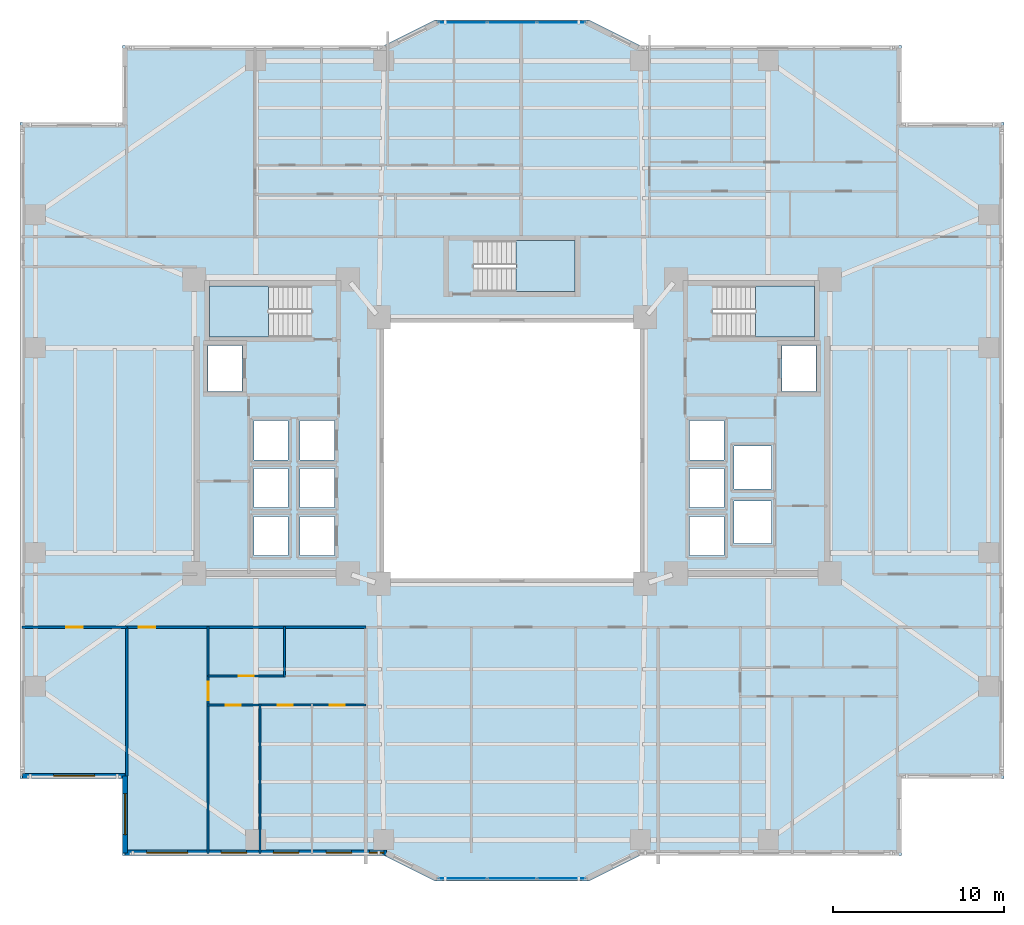
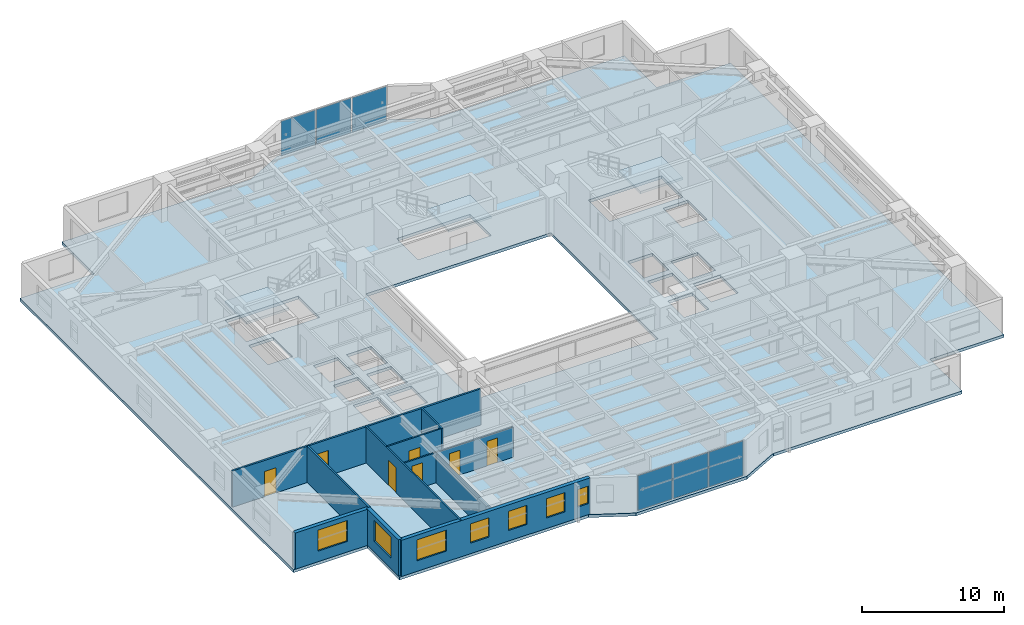
# One storey, part 9 of 20: 11 walls, 7 doors, 7 windows, 6 plates, 4 slabs, 14 openings, 5 elements without a shape of their own.
"""IFC4 building model written with IfcOpenShell, lengths in metres."""

from ifc_helpers import new_model, si_unit, direction, frame, frame_2d, origin, origin_2d, place, context, subcontext, project, spatial, polyline, rectangle, outline, extrude, material, layer, layer_set, type_object, element, fill, aggregate, save


model = new_model("IFC4")

# Units and contexts
model_context = context("Model", 3, precision=1e-05, world=origin(), true_north=direction((0.0, 1.0)))
body_context = subcontext(model_context, "Body", "Model", "MODEL_VIEW")
ifc_project = project(units=[si_unit("LENGTHUNIT", "METRE"), si_unit("AREAUNIT", "SQUARE_METRE"), si_unit("VOLUMEUNIT", "CUBIC_METRE"), si_unit("PLANEANGLEUNIT", "RADIAN"), si_unit("MASSUNIT", "GRAM", prefix="KILO")], contexts=[model_context])

# Site, building, storey
site_placement = place(None, origin())
site = spatial("IfcSite", under=ifc_project, at=site_placement, CompositionType="ELEMENT")
building_placement = place(site_placement, origin())
building = spatial("IfcBuilding", under=site, at=building_placement, Name="Tarnavaz Court Tower", CompositionType="ELEMENT")
storey_placement = place(building_placement, frame((0.0, 0.0, 34.050048828125)))
storey = spatial("IfcBuildingStorey", under=building, at=storey_placement, Name="L08", CompositionType="ELEMENT", Elevation=34.050048828125)

# Curtain wall, plates
ifc_material_1 = material(Name="Anodised Aluminium 6063-T6 and Solar Low-E Glazing", Category="aluminium")
ifc_layer_1 = layer(ifc_material_1, 0.179931640625)
ifc_layer_set_1 = layer_set([ifc_layer_1], Name="Anodised Aluminium 6063-T6 and Solar Low-E Glazing")
curtain_wall_type = type_object("IfcCurtainWallType", Name="CW-SYS-02", PredefinedType="NOTDEFINED", material=ifc_layer_set_1)
curtain_wall_1_placement = place(storey_placement, origin())
curtain_wall_1 = element("IfcCurtainWall", 1, at=curtain_wall_1_placement, inside=storey, type_object=curtain_wall_type, Name="L08 Iwan Prow Curtain Wall 7", PredefinedType="NOTDEFINED")
ifc_material_2 = material(Name="Double-Glazed Solar Low-E Glass", Category="glass")
ifc_layer_2 = layer(ifc_material_2, 0.028076171875)
ifc_layer_set_2 = layer_set([ifc_layer_2], Name="Double-Glazed Solar Low-E Glass")
plate_type = type_object("IfcPlateType", Name="CW-PAN-GLZ28", PredefinedType="CURTAIN_PANEL", material=ifc_layer_set_2)
plate_1_placement = place(storey_placement, frame((-2.88134765625, 25.050048828125, 0.06494140625), z_axis=(0.0, 0.0, 1.0), x_axis=(1.0, 0.0, 0.0)))
plate_1 = element("IfcPlate", 2, at=plate_1_placement, type_object=plate_type, Name="CW panel 1.1", PredefinedType="CURTAIN_PANEL", context=body_context, shape_type="SweptSolid", body=[
    extrude(rectangle(XDim=2.78759765625, YDim=0.028076171875, at=origin_2d()), origin(), (0.0, 0.0, 1.0), 2.969970703125),
])
plate_2_placement = place(storey_placement, frame((0.0, 25.050048828125, 0.06494140625), z_axis=(0.0, 0.0, 1.0), x_axis=(1.0, 0.0, 0.0)))
plate_2 = element("IfcPlate", 3, at=plate_2_placement, type_object=plate_type, Name="CW panel 2.1", PredefinedType="CURTAIN_PANEL", context=body_context, shape_type="SweptSolid", body=[
    extrude(rectangle(XDim=2.824951171875, YDim=0.028076171875, at=origin_2d()), origin(), (0.0, 0.0, 1.0), 2.969970703125),
])
plate_3_placement = place(storey_placement, frame((2.88134765625, 25.050048828125, 0.06494140625), z_axis=(0.0, 0.0, 1.0), x_axis=(1.0, 0.0, 0.0)))
plate_3 = element("IfcPlate", 4, at=plate_3_placement, type_object=plate_type, Name="CW panel 3.1", PredefinedType="CURTAIN_PANEL", context=body_context, shape_type="SweptSolid", body=[
    extrude(rectangle(XDim=2.78759765625, YDim=0.028076171875, at=origin_2d()), origin(), (0.0, 0.0, 1.0), 2.969970703125),
])
aggregate(curtain_wall_1, [plate_1, plate_2, plate_3])

curtain_wall_2_placement = place(storey_placement, origin())
curtain_wall_2 = element("IfcCurtainWall", 5, at=curtain_wall_2_placement, inside=storey, type_object=curtain_wall_type, Name="L08 Iwan Prow Curtain Wall 17", PredefinedType="NOTDEFINED")
plate_4_placement = place(storey_placement, frame((2.88134765625, -25.050048828125, 0.06494140625), z_axis=(0.0, 0.0, 1.0), x_axis=(-1.0, 0.0, 0.0)))
plate_4 = element("IfcPlate", 6, at=plate_4_placement, type_object=plate_type, Name="CW panel 1.1", PredefinedType="CURTAIN_PANEL", context=body_context, shape_type="SweptSolid", body=[
    extrude(rectangle(XDim=2.78759765625, YDim=0.028076171875, at=origin_2d()), origin(), (0.0, 0.0, 1.0), 2.969970703125),
])
plate_5_placement = place(storey_placement, frame((0.0, -25.050048828125, 0.06494140625), z_axis=(0.0, 0.0, 1.0), x_axis=(-1.0, 0.0, 0.0)))
plate_5 = element("IfcPlate", 7, at=plate_5_placement, type_object=plate_type, Name="CW panel 2.1", PredefinedType="CURTAIN_PANEL", context=body_context, shape_type="SweptSolid", body=[
    extrude(rectangle(XDim=2.824951171875, YDim=0.028076171875, at=origin_2d()), origin(), (0.0, 0.0, 1.0), 2.969970703125),
])
plate_6_placement = place(storey_placement, frame((-2.88134765625, -25.050048828125, 0.06494140625), z_axis=(0.0, 0.0, 1.0), x_axis=(-1.0, 0.0, 0.0)))
plate_6 = element("IfcPlate", 8, at=plate_6_placement, type_object=plate_type, Name="CW panel 3.1", PredefinedType="CURTAIN_PANEL", context=body_context, shape_type="SweptSolid", body=[
    extrude(rectangle(XDim=2.78759765625, YDim=0.028076171875, at=origin_2d()), origin(), (0.0, 0.0, 1.0), 2.969970703125),
])
aggregate(curtain_wall_2, [plate_4, plate_5, plate_6])

# Stair, slab
ifc_material_3 = material(Name="Concrete C40/50", Category="concrete")
stair_type = type_object("IfcStairType", Name="ST-TWR-20R", PredefinedType="HALF_TURN_STAIR", material=ifc_material_3)
stair_1_placement = place(storey_placement, origin())
stair_1 = element("IfcStair", 9, at=stair_1_placement, inside=storey, type_object=stair_type, Name="L08 West Core Pressurized Exit Stair ST-W1", PredefinedType="HALF_TURN_STAIR")
ifc_layer_3 = layer(ifc_material_3, 0.199951171875)
ifc_layer_set_3 = layer_set([ifc_layer_3], Name="Concrete C40/50")
slab_type_1 = type_object("IfcSlabType", Name="SL-LAND-200", PredefinedType="LANDING", material=ifc_layer_set_3)
slab_1_placement = place(storey_placement, frame((0.0, 0.0, 1.474853515625)))
slab_1 = element("IfcSlab", 10, at=slab_1_placement, type_object=slab_type_1, Name="ST-W1 landing 1", PredefinedType="LANDING", context=body_context, shape_type="SweptSolid", body=[
    extrude(outline(polyline([(-14.239990234375, 9.639892578125), (-17.699951171875, 9.639892578125), (-17.699951171875, 6.64990234375), (-14.239990234375, 6.64990234375), (-14.239990234375, 9.639892578125)])), origin(), (0.0, 0.0, 1.0), 0.2001953125),
])
aggregate(stair_1, [slab_1])

stair_2_placement = place(storey_placement, origin())
stair_2 = element("IfcStair", 11, at=stair_2_placement, inside=storey, type_object=stair_type, Name="L08 East Core Pressurized Exit Stair ST-E1", PredefinedType="HALF_TURN_STAIR")
slab_2_placement = place(storey_placement, frame((0.0, 0.0, 1.474853515625)))
slab_2 = element("IfcSlab", 12, at=slab_2_placement, type_object=slab_type_1, Name="ST-E1 landing 1", PredefinedType="LANDING", context=body_context, shape_type="SweptSolid", body=[
    extrude(outline(polyline([(14.239990234375, 6.64990234375), (17.699951171875, 6.64990234375), (17.699951171875, 9.639892578125), (14.239990234375, 9.639892578125), (14.239990234375, 6.64990234375)])), origin(), (0.0, 0.0, 1.0), 0.2001953125),
])
aggregate(stair_2, [slab_2])

stair_3_placement = place(storey_placement, origin())
stair_3 = element("IfcStair", 13, at=stair_3_placement, inside=storey, type_object=stair_type, Name="L08 North Ring Pressurized Exit Stair ST-N1", PredefinedType="HALF_TURN_STAIR")
slab_3_placement = place(storey_placement, frame((0.0, 0.0, 1.474853515625)))
slab_3 = element("IfcSlab", 14, at=slab_3_placement, type_object=slab_type_1, Name="ST-N1 landing 1", PredefinedType="LANDING", context=body_context, shape_type="SweptSolid", body=[
    extrude(outline(polyline([(0.239990234375, 9.300048828125), (3.699951171875, 9.300048828125), (3.699951171875, 12.2900390625), (0.239990234375, 12.2900390625), (0.239990234375, 9.300048828125)])), origin(), (0.0, 0.0, 1.0), 0.2001953125),
])
aggregate(stair_3, [slab_3])

# Slab
ifc_layer_4 = layer(ifc_material_3, 0.25)
ifc_layer_set_4 = layer_set([ifc_layer_4], Name="Concrete C40/50")
slab_type_2 = type_object("IfcSlabType", Name="SL-RES-250", PredefinedType="FLOOR", material=ifc_layer_set_4)
slab_4_placement = place(storey_placement, frame((0.0, 0.0, -0.25)))
element("IfcSlab", 15, at=slab_4_placement, inside=storey, type_object=slab_type_2, Name="L08 Structural Floor Slab", PredefinedType="FLOOR", context=body_context, shape_type="SweptSolid", body=[
    extrude(outline(polyline([(-22.800048828125, -23.699951171875), (-7.5, -23.699951171875), (-4.5, -25.199951171875), (4.5, -25.199951171875), (7.5, -23.699951171875), (22.800048828125, -23.699951171875), (22.800048828125, -19.199951171875), (28.800048828125, -19.199951171875), (28.800048828125, 19.199951171875), (22.800048828125, 19.199951171875), (22.800048828125, 23.699951171875), (7.5, 23.699951171875), (4.5, 25.199951171875), (-4.5, 25.199951171875), (-7.5, 23.699951171875), (-22.800048828125, 23.699951171875), (-22.800048828125, 19.199951171875), (-28.800048828125, 19.199951171875), (-28.800048828125, -19.199951171875), (-22.800048828125, -19.199951171875), (-22.800048828125, -23.699951171875)]), holes=[polyline([(-7.5, -7.5), (7.5, -7.5), (7.5, 7.5), (-7.5, 7.5), (-7.5, -7.5)]), polyline([(-11.7451171875, 9.639892578125), (-17.699951171875, 9.639892578125), (-17.699951171875, 6.64990234375), (-11.7451171875, 6.64990234375), (-11.7451171875, 9.639892578125)]), polyline([(11.7451171875, 6.64990234375), (17.699951171875, 6.64990234375), (17.699951171875, 9.639892578125), (11.7451171875, 9.639892578125), (11.7451171875, 6.64990234375)]), polyline([(-2.2548828125, 9.300048828125), (3.699951171875, 9.300048828125), (3.699951171875, 12.2900390625), (-2.2548828125, 12.2900390625), (-2.2548828125, 9.300048828125)]), polyline([(-17.800048828125, 3.449951171875), (-15.800048828125, 3.449951171875), (-15.800048828125, 6.14990234375), (-17.800048828125, 6.14990234375), (-17.800048828125, 3.449951171875)]), polyline([(-12.39990234375, -6.14990234375), (-10.39990234375, -6.14990234375), (-10.39990234375, -3.85009765625), (-12.39990234375, -3.85009765625), (-12.39990234375, -6.14990234375)]), polyline([(-12.39990234375, -3.35009765625), (-10.39990234375, -3.35009765625), (-10.39990234375, -1.050048828125), (-12.39990234375, -1.050048828125), (-12.39990234375, -3.35009765625)]), polyline([(-12.39990234375, -0.550048828125), (-10.39990234375, -0.550048828125), (-10.39990234375, 1.75), (-12.39990234375, 1.75), (-12.39990234375, -0.550048828125)]), polyline([(-15.10009765625, -6.14990234375), (-13.10009765625, -6.14990234375), (-13.10009765625, -3.85009765625), (-15.10009765625, -3.85009765625), (-15.10009765625, -6.14990234375)]), polyline([(-15.10009765625, -3.35009765625), (-13.10009765625, -3.35009765625), (-13.10009765625, -1.050048828125), (-15.10009765625, -1.050048828125), (-15.10009765625, -3.35009765625)]), polyline([(-15.10009765625, -0.550048828125), (-13.10009765625, -0.550048828125), (-13.10009765625, 1.75), (-15.10009765625, 1.75), (-15.10009765625, -0.550048828125)]), polyline([(15.800048828125, 3.449951171875), (17.800048828125, 3.449951171875), (17.800048828125, 6.14990234375), (15.800048828125, 6.14990234375), (15.800048828125, 3.449951171875)]), polyline([(10.39990234375, -6.14990234375), (12.39990234375, -6.14990234375), (12.39990234375, -3.85009765625), (10.39990234375, -3.85009765625), (10.39990234375, -6.14990234375)]), polyline([(10.39990234375, -3.35009765625), (12.39990234375, -3.35009765625), (12.39990234375, -1.050048828125), (10.39990234375, -1.050048828125), (10.39990234375, -3.35009765625)]), polyline([(10.39990234375, -0.550048828125), (12.39990234375, -0.550048828125), (12.39990234375, 1.75), (10.39990234375, 1.75), (10.39990234375, -0.550048828125)]), polyline([(13.0, -5.449951171875), (15.199951171875, -5.449951171875), (15.199951171875, -2.949951171875), (13.0, -2.949951171875), (13.0, -5.449951171875)]), polyline([(13.0, -2.25), (15.199951171875, -2.25), (15.199951171875, 0.25), (13.0, 0.25), (13.0, -2.25)])]), origin(), (0.0, 0.0, 1.0), 0.25),
])

# Wall, opening, window
ifc_material_4 = material(Name="Precast Concrete C40/50", Category="concrete")
ifc_layer_5 = layer(ifc_material_4, 0.300048828125)
ifc_layer_set_5 = layer_set([ifc_layer_5], Name="Precast Concrete C40/50")
wall_type_1 = type_object("IfcWallType", Name="WL-EXT-300", PredefinedType="SOLIDWALL", material=ifc_layer_set_5)
wall_1_placement = place(storey_placement, frame((-22.64990234375, -19.050048828125, 0.0), z_axis=(0.0, 0.0, 1.0), x_axis=(-1.0, 0.0, 0.0)))
wall_1 = element("IfcWall", 16, at=wall_1_placement, inside=storey, type_object=wall_type_1, Name="L08 Exterior Terracotta Facade Wall 01", PredefinedType="SOLIDWALL", context=body_context, shape_type="SweptSolid", body=[
    extrude(rectangle(XDim=6.0, YDim=0.300048828125, at=frame_2d((3.0, 0.0))), origin(), (0.0, 0.0, 1.0), 3.099853515625),
])
opening_1_placement = place(wall_1_placement, frame((1.77490234375, 0.0, 0.89990234375)))
opening_1 = element("IfcOpeningElement", 17, at=opening_1_placement, cuts=wall_1, Name="Opening W06", PredefinedType="OPENING", context=body_context, shape_type="SweptSolid", body=[
    extrude(rectangle(XDim=2.39990234375, YDim=1.800048828125, at=frame_2d((1.199951171875, 0.89990234375))), frame((0.0, 0.159912109375, 0.0), z_axis=(0.0, -1.0, 0.0), x_axis=(1.0, 0.0, 0.0)), (0.0, 0.0, 1.0), 0.320068359375),
])
window_type_1 = type_object("IfcWindowType", Name="WN-APT-2400", PartitioningType="TRIPLE_PANEL_VERTICAL", PredefinedType="WINDOW", material=ifc_material_2)
window_1_placement = place(opening_1_placement, origin())
window_1 = element("IfcWindow", 18, at=window_1_placement, inside=storey, type_object=window_type_1, Name="L08 South-West Corner Reading Room Window", OverallHeight=1.800048828125, OverallWidth=2.39990234375, PartitioningType="SINGLE_PANEL", PredefinedType="WINDOW", context=body_context, shape_type="SweptSolid", body=[
    extrude(rectangle(XDim=2.39990234375, YDim=1.800048828125, at=frame_2d((1.199951171875, 0.89990234375))), frame((0.0, 0.030029296875, 0.0), z_axis=(0.0, -1.0, 0.0), x_axis=(1.0, 0.0, 0.0)), (0.0, 0.0, 1.0), 0.06005859375),
])
fill(opening_1, window_1)

# Wall, openings, windows
wall_2_placement = place(storey_placement, frame((-7.35009765625, -23.550048828125, 0.0), z_axis=(0.0, 0.0, 1.0), x_axis=(-1.0, 0.0, 0.0)))
wall_2 = element("IfcWall", 19, at=wall_2_placement, inside=storey, type_object=wall_type_1, Name="L08 Exterior Terracotta Facade Wall 19", PredefinedType="SOLIDWALL", context=body_context, shape_type="SweptSolid", body=[
    extrude(rectangle(XDim=15.2998046875, YDim=0.300048828125, at=frame_2d((7.64990234375, 0.0))), origin(), (0.0, 0.0, 1.0), 3.099853515625),
])
opening_2_placement = place(wall_2_placement, frame((0.146728515625, 0.0, 0.949951171875)))
opening_2 = element("IfcOpeningElement", 20, at=opening_2_placement, cuts=wall_2, Name="Opening W15", PredefinedType="OPENING", context=body_context, shape_type="SweptSolid", body=[
    extrude(rectangle(XDim=0.85009765625, YDim=1.5, at=frame_2d((0.425048828125, 0.75))), frame((0.0, 0.159912109375, 0.0), z_axis=(0.0, -1.0, 0.0), x_axis=(1.0, 0.0, 0.0)), (0.0, 0.0, 1.0), 0.320068359375),
])
opening_3_placement = place(wall_2_placement, frame((2.0341796875, 0.0, 0.89990234375)))
opening_3 = element("IfcOpeningElement", 21, at=opening_3_placement, cuts=wall_2, Name="Opening W03", PredefinedType="OPENING", context=body_context, shape_type="SweptSolid", body=[
    extrude(rectangle(XDim=1.5, YDim=1.64990234375, at=frame_2d((0.75, 0.824951171875))), frame((0.0, 0.159912109375, 0.0), z_axis=(0.0, -1.0, 0.0), x_axis=(1.0, 0.0, 0.0)), (0.0, 0.0, 1.0), 0.320068359375),
])
opening_4_placement = place(wall_2_placement, frame((5.119140625, 0.0, 0.89990234375)))
opening_4 = element("IfcOpeningElement", 22, at=opening_4_placement, cuts=wall_2, Name="Opening W03", PredefinedType="OPENING", context=body_context, shape_type="SweptSolid", body=[
    extrude(rectangle(XDim=1.5, YDim=1.64990234375, at=frame_2d((0.75, 0.824951171875))), frame((0.0, 0.159912109375, 0.0), z_axis=(0.0, -1.0, 0.0), x_axis=(1.0, 0.0, 0.0)), (0.0, 0.0, 1.0), 0.320068359375),
])
opening_5_placement = place(wall_2_placement, frame((8.17919921875, 0.0, 0.89990234375)))
opening_5 = element("IfcOpeningElement", 23, at=opening_5_placement, cuts=wall_2, Name="Opening W03", PredefinedType="OPENING", context=body_context, shape_type="SweptSolid", body=[
    extrude(rectangle(XDim=1.5, YDim=1.64990234375, at=frame_2d((0.75, 0.824951171875))), frame((0.0, 0.159912109375, 0.0), z_axis=(0.0, -1.0, 0.0), x_axis=(1.0, 0.0, 0.0)), (0.0, 0.0, 1.0), 0.320068359375),
])
opening_6_placement = place(wall_2_placement, frame((11.64208984375, 0.0, 0.89990234375)))
opening_6 = element("IfcOpeningElement", 24, at=opening_6_placement, cuts=wall_2, Name="Opening W06", PredefinedType="OPENING", context=body_context, shape_type="SweptSolid", body=[
    extrude(rectangle(XDim=2.39990234375, YDim=1.800048828125, at=frame_2d((1.199951171875, 0.89990234375))), frame((0.0, 0.159912109375, 0.0), z_axis=(0.0, -1.0, 0.0), x_axis=(1.0, 0.0, 0.0)), (0.0, 0.0, 1.0), 0.320068359375),
])
window_type_2 = type_object("IfcWindowType", Name="WN-APT-1500", PartitioningType="DOUBLE_PANEL_VERTICAL", PredefinedType="WINDOW", material=ifc_material_2)
window_2_placement = place(opening_3_placement, origin())
window_2 = element("IfcWindow", 25, at=window_2_placement, inside=storey, type_object=window_type_2, Name="L08 Flat 03 Bedroom 3 Window", OverallHeight=1.64990234375, OverallWidth=1.5, PartitioningType="SINGLE_PANEL", PredefinedType="WINDOW", context=body_context, shape_type="SweptSolid", body=[
    extrude(rectangle(XDim=1.5, YDim=1.64990234375, at=frame_2d((0.75, 0.824951171875))), frame((0.0, 0.030029296875, 0.0), z_axis=(0.0, -1.0, 0.0), x_axis=(1.0, 0.0, 0.0)), (0.0, 0.0, 1.0), 0.06005859375),
])
fill(opening_3, window_2)
window_3_placement = place(opening_4_placement, origin())
window_3 = element("IfcWindow", 26, at=window_3_placement, inside=storey, type_object=window_type_2, Name="L08 Flat 03 Bedroom 2 Window", OverallHeight=1.64990234375, OverallWidth=1.5, PartitioningType="SINGLE_PANEL", PredefinedType="WINDOW", context=body_context, shape_type="SweptSolid", body=[
    extrude(rectangle(XDim=1.5, YDim=1.64990234375, at=frame_2d((0.75, 0.824951171875))), frame((0.0, 0.030029296875, 0.0), z_axis=(0.0, -1.0, 0.0), x_axis=(1.0, 0.0, 0.0)), (0.0, 0.0, 1.0), 0.06005859375),
])
fill(opening_4, window_3)
window_4_placement = place(opening_5_placement, origin())
window_4 = element("IfcWindow", 27, at=window_4_placement, inside=storey, type_object=window_type_2, Name="L08 Flat 03 Principal Bedroom Window", OverallHeight=1.64990234375, OverallWidth=1.5, PartitioningType="SINGLE_PANEL", PredefinedType="WINDOW", context=body_context, shape_type="SweptSolid", body=[
    extrude(rectangle(XDim=1.5, YDim=1.64990234375, at=frame_2d((0.75, 0.824951171875))), frame((0.0, 0.030029296875, 0.0), z_axis=(0.0, -1.0, 0.0), x_axis=(1.0, 0.0, 0.0)), (0.0, 0.0, 1.0), 0.06005859375),
])
fill(opening_5, window_4)
window_5_placement = place(opening_6_placement, origin())
window_5 = element("IfcWindow", 28, at=window_5_placement, inside=storey, type_object=window_type_1, Name="L08 Flat 03 Living and Dining Room Window", OverallHeight=1.800048828125, OverallWidth=2.39990234375, PartitioningType="SINGLE_PANEL", PredefinedType="WINDOW", context=body_context, shape_type="SweptSolid", body=[
    extrude(rectangle(XDim=2.39990234375, YDim=1.800048828125, at=frame_2d((1.199951171875, 0.89990234375))), frame((0.0, 0.030029296875, 0.0), z_axis=(0.0, -1.0, 0.0), x_axis=(1.0, 0.0, 0.0)), (0.0, 0.0, 1.0), 0.06005859375),
])
fill(opening_6, window_5)
window_type_3 = type_object("IfcWindowType", Name="WN-APT-850", PartitioningType="SINGLE_PANEL", PredefinedType="WINDOW", material=ifc_material_2)
window_6_placement = place(opening_2_placement, origin())
window_6 = element("IfcWindow", 29, at=window_6_placement, inside=storey, type_object=window_type_3, Name="L08 Resident Fitness and Yoga Studio Window", OverallHeight=1.5, OverallWidth=0.85009765625, PartitioningType="SINGLE_PANEL", PredefinedType="WINDOW", context=body_context, shape_type="SweptSolid", body=[
    extrude(rectangle(XDim=0.85009765625, YDim=1.5, at=frame_2d((0.425048828125, 0.75))), frame((0.0, 0.030029296875, 0.0), z_axis=(0.0, -1.0, 0.0), x_axis=(1.0, 0.0, 0.0)), (0.0, 0.0, 1.0), 0.06005859375),
])
fill(opening_2, window_6)

# Wall, opening, window
wall_3_placement = place(storey_placement, frame((-22.64990234375, -23.550048828125, 0.0), z_axis=(0.0, 0.0, 1.0), x_axis=(0.0, 1.0, 0.0)))
wall_3 = element("IfcWall", 30, at=wall_3_placement, inside=storey, type_object=wall_type_1, Name="L08 Exterior Terracotta Facade Wall 20", PredefinedType="SOLIDWALL", context=body_context, shape_type="SweptSolid", body=[
    extrude(rectangle(XDim=4.5, YDim=0.300048828125, at=frame_2d((2.25, 0.0))), origin(), (0.0, 0.0, 1.0), 3.099853515625),
])
opening_7_placement = place(wall_3_placement, frame((1.0673828125, 0.0, 0.89990234375)))
opening_7 = element("IfcOpeningElement", 31, at=opening_7_placement, cuts=wall_3, Name="Opening W06", PredefinedType="OPENING", context=body_context, shape_type="SweptSolid", body=[
    extrude(rectangle(XDim=2.39990234375, YDim=1.800048828125, at=frame_2d((1.199951171875, 0.89990234375))), frame((0.0, 0.159912109375, 0.0), z_axis=(0.0, -1.0, 0.0), x_axis=(1.0, 0.0, 0.0)), (0.0, 0.0, 1.0), 0.320068359375),
])
window_7_placement = place(opening_7_placement, origin())
window_7 = element("IfcWindow", 32, at=window_7_placement, inside=storey, type_object=window_type_1, Name="L08 Flat 03 Living and Dining Room Window", OverallHeight=1.800048828125, OverallWidth=2.39990234375, PartitioningType="SINGLE_PANEL", PredefinedType="WINDOW", context=body_context, shape_type="SweptSolid", body=[
    extrude(rectangle(XDim=2.39990234375, YDim=1.800048828125, at=frame_2d((1.199951171875, 0.89990234375))), frame((0.0, 0.030029296875, 0.0), z_axis=(0.0, -1.0, 0.0), x_axis=(1.0, 0.0, 0.0)), (0.0, 0.0, 1.0), 0.06005859375),
])
fill(opening_7, window_7)

# Wall, opening, door
ifc_material_5 = material(Name="Gypsum Fire-Board on Acoustic Metal Stud", Category="masonry")
ifc_layer_6 = layer(ifc_material_5, 0.14990234375)
ifc_layer_set_6 = layer_set([ifc_layer_6], Name="Gypsum Fire-Board on Acoustic Metal Stud")
wall_type_2 = type_object("IfcWallType", Name="WL-FIRE-150", PredefinedType="PARTITIONING", material=ifc_layer_set_6)
wall_4_placement = place(storey_placement, frame((-22.550048828125, -10.35009765625, 0.0), z_axis=(0.0, 0.0, 1.0), x_axis=(1.0, 0.0, 0.0)))
wall_4 = element("IfcWall", 33, at=wall_4_placement, inside=storey, type_object=wall_type_2, Name="L08 SW Corridor Wall 084", PredefinedType="PARTITIONING", context=body_context, shape_type="SweptSolid", body=[
    extrude(rectangle(XDim=14.0, YDim=0.14990234375, at=frame_2d((7.0, 0.0))), origin(), (0.0, 0.0, 1.0), 3.099853515625),
])
opening_8_placement = place(wall_4_placement, frame((0.699951171875, 0.0, 0.0)))
opening_8 = element("IfcOpeningElement", 34, at=opening_8_placement, cuts=wall_4, Name="Opening D06", PredefinedType="OPENING", context=body_context, shape_type="SweptSolid", body=[
    extrude(rectangle(XDim=0.9599609375, YDim=2.14990234375, at=frame_2d((0.47998046875, 1.074951171875))), frame((0.0, 0.0849609375, 0.0), z_axis=(0.0, -1.0, 0.0), x_axis=(1.0, 0.0, 0.0)), (0.0, 0.0, 1.0), 0.169921875),
])
ifc_material_6 = material(Name="Fire-Rated Hardwood Timber Core", Category="wood")
door_type_1 = type_object("IfcDoorType", Name="DR-FD60-950", OperationType="NOTDEFINED", PredefinedType="DOOR", material=ifc_material_6)
door_1_placement = place(opening_8_placement, origin())
door_1 = element("IfcDoor", 35, at=door_1_placement, inside=storey, type_object=door_type_1, Name="L08 Flat 03 Entrance Door", OperationType="SINGLE_SWING_RIGHT", OverallHeight=2.14990234375, OverallWidth=0.9599609375, PredefinedType="DOOR", context=body_context, shape_type="SweptSolid", body=[
    extrude(rectangle(XDim=0.9599609375, YDim=2.14990234375, at=frame_2d((0.47998046875, 1.074951171875))), frame((0.0, 0.02490234375, 0.0), z_axis=(0.0, -1.0, 0.0), x_axis=(1.0, 0.0, 0.0)), (0.0, 0.0, 1.0), 0.050048828125),
])
fill(opening_8, door_1)

wall_5_placement = place(storey_placement, frame((-28.679931640625, -10.35009765625, 0.0), z_axis=(0.0, 0.0, 1.0), x_axis=(1.0, 0.0, 0.0)))
wall_5 = element("IfcWall", 36, at=wall_5_placement, inside=storey, type_object=wall_type_2, Name="L08 Interior Partition 131", PredefinedType="PARTITIONING", context=body_context, shape_type="SweptSolid", body=[
    extrude(rectangle(XDim=6.1298828125, YDim=0.14990234375, at=frame_2d((3.06494140625, 0.0))), origin(), (0.0, 0.0, 1.0), 3.099853515625),
])
opening_9_placement = place(wall_5_placement, frame((2.590087890625, 0.0, 0.0)))
opening_9 = element("IfcOpeningElement", 37, at=opening_9_placement, cuts=wall_5, Name="Opening D13", PredefinedType="OPENING", context=body_context, shape_type="SweptSolid", body=[
    extrude(rectangle(XDim=0.949951171875, YDim=2.14990234375, at=frame_2d((0.47509765625, 1.074951171875))), frame((0.0, 0.0849609375, 0.0), z_axis=(0.0, -1.0, 0.0), x_axis=(1.0, 0.0, 0.0)), (0.0, 0.0, 1.0), 0.169921875),
])
ifc_material_7 = material(Name="Engineered Oak Timber", Category="wood")
door_type_2 = type_object("IfcDoorType", Name="DR-INT-950", OperationType="NOTDEFINED", PredefinedType="DOOR", material=ifc_material_7)
door_2_placement = place(opening_9_placement, origin())
door_2 = element("IfcDoor", 38, at=door_2_placement, inside=storey, type_object=door_type_2, Name="L08 SW Reading Room Door", OperationType="SINGLE_SWING_LEFT", OverallHeight=2.14990234375, OverallWidth=0.949951171875, PredefinedType="DOOR", context=body_context, shape_type="SweptSolid", body=[
    extrude(rectangle(XDim=0.949951171875, YDim=2.14990234375, at=frame_2d((0.47509765625, 1.074951171875))), frame((0.0, 0.02490234375, 0.0), z_axis=(0.0, -1.0, 0.0), x_axis=(1.0, 0.0, 0.0)), (0.0, 0.0, 1.0), 0.050048828125),
])
fill(opening_9, door_2)

ifc_material_8 = material(Name="Moisture-Resistant Gypsum Board Partition", Category="masonry")
ifc_layer_7 = layer(ifc_material_8, 0.1201171875)
ifc_layer_set_7 = layer_set([ifc_layer_7], Name="Moisture-Resistant Gypsum Board Partition")
wall_type_3 = type_object("IfcWallType", Name="WL-PART-120", PredefinedType="PARTITIONING", material=ifc_layer_set_7)
wall_6_placement = place(storey_placement, frame((-17.7880859375, -23.60009765625, 0.0), z_axis=(0.0, 0.0, 1.0), x_axis=(0.0, 1.0, 0.0)))
wall_6 = element("IfcWall", 39, at=wall_6_placement, inside=storey, type_object=wall_type_3, Name="L08 Interior Partition 103", PredefinedType="PARTITIONING", context=body_context, shape_type="SweptSolid", body=[
    extrude(rectangle(XDim=13.31005859375, YDim=0.1201171875, at=frame_2d((6.655029296875, 0.0))), origin(), (0.0, 0.0, 1.0), 3.099853515625),
])
opening_10_placement = place(wall_6_placement, frame((8.97509765625, 0.0, 0.0)))
opening_10 = element("IfcOpeningElement", 40, at=opening_10_placement, cuts=wall_6, Name="Opening D12", PredefinedType="OPENING", context=body_context, shape_type="SweptSolid", body=[
    extrude(rectangle(XDim=1.080078125, YDim=2.14990234375, at=frame_2d((0.5400390625, 1.074951171875))), frame((0.0, 0.070068359375, 0.0), z_axis=(0.0, -1.0, 0.0), x_axis=(1.0, 0.0, 0.0)), (0.0, 0.0, 1.0), 0.14013671875),
])
door_type_3 = type_object("IfcDoorType", Name="DR-INT-1100", OperationType="NOTDEFINED", PredefinedType="DOOR", material=ifc_material_7)
door_3_placement = place(opening_10_placement, origin())
door_3 = element("IfcDoor", 41, at=door_3_placement, inside=storey, type_object=door_type_3, Name="L08 Flat 03 Foyer Door", OperationType="SINGLE_SWING_LEFT", OverallHeight=2.14990234375, OverallWidth=1.080078125, PredefinedType="DOOR", context=body_context, shape_type="SweptSolid", body=[
    extrude(rectangle(XDim=1.080078125, YDim=2.14990234375, at=frame_2d((0.5400390625, 1.074951171875))), frame((0.0, 0.02490234375, 0.0), z_axis=(0.0, -1.0, 0.0), x_axis=(1.0, 0.0, 0.0)), (0.0, 0.0, 1.0), 0.050048828125),
])
fill(opening_10, door_3)

wall_7_placement = place(storey_placement, frame((-17.7880859375, -13.199951171875, 0.0), z_axis=(0.0, 0.0, 1.0), x_axis=(1.0, 0.0, 0.0)))
wall_7 = element("IfcWall", 42, at=wall_7_placement, inside=storey, type_object=wall_type_3, Name="L08 Interior Partition 104", PredefinedType="PARTITIONING", context=body_context, shape_type="SweptSolid", body=[
    extrude(rectangle(XDim=4.47314453125, YDim=0.1201171875, at=frame_2d((2.236572265625, 0.0))), origin(), (0.0, 0.0, 1.0), 3.099853515625),
])
opening_11_placement = place(wall_7_placement, frame((1.797119140625, 0.0, 0.0)))
opening_11 = element("IfcOpeningElement", 43, at=opening_11_placement, cuts=wall_7, Name="Opening D14", PredefinedType="OPENING", context=body_context, shape_type="SweptSolid", body=[
    extrude(rectangle(XDim=0.8798828125, YDim=2.10009765625, at=frame_2d((0.43994140625, 1.050048828125))), frame((0.0, 0.070068359375, 0.0), z_axis=(0.0, -1.0, 0.0), x_axis=(1.0, 0.0, 0.0)), (0.0, 0.0, 1.0), 0.14013671875),
])
door_type_4 = type_object("IfcDoorType", Name="DR-INT-900", OperationType="NOTDEFINED", PredefinedType="DOOR", material=ifc_material_7)
door_4_placement = place(opening_11_placement, origin())
door_4 = element("IfcDoor", 44, at=door_4_placement, inside=storey, type_object=door_type_4, Name="L08 Flat 03 Kitchen Door", OperationType="SINGLE_SWING_RIGHT", OverallHeight=2.10009765625, OverallWidth=0.8798828125, PredefinedType="DOOR", context=body_context, shape_type="SweptSolid", body=[
    extrude(rectangle(XDim=0.8798828125, YDim=2.10009765625, at=frame_2d((0.43994140625, 1.050048828125))), frame((0.0, 0.02490234375, 0.0), z_axis=(0.0, -1.0, 0.0), x_axis=(1.0, 0.0, 0.0)), (0.0, 0.0, 1.0), 0.050048828125),
])
fill(opening_11, door_4)

# Wall, openings, doors
wall_8_placement = place(storey_placement, frame((-17.847900390625, -14.909912109375, 0.0), z_axis=(0.0, 0.0, 1.0), x_axis=(1.0, 0.0, 0.0)))
wall_8 = element("IfcWall", 45, at=wall_8_placement, inside=storey, type_object=wall_type_3, Name="L08 Interior Partition 106", PredefinedType="PARTITIONING", context=body_context, shape_type="SweptSolid", body=[
    extrude(rectangle(XDim=9.307861328125, YDim=0.1201171875, at=frame_2d((4.65380859375, 0.0))), origin(), (0.0, 0.0, 1.0), 2.5849609375),
])
opening_12_placement = place(wall_8_placement, frame((1.0810546875, 0.0, 0.0)))
opening_12 = element("IfcOpeningElement", 46, at=opening_12_placement, cuts=wall_8, Name="Opening D14", PredefinedType="OPENING", context=body_context, shape_type="SweptSolid", body=[
    extrude(rectangle(XDim=0.8798828125, YDim=2.10009765625, at=frame_2d((0.43994140625, 1.050048828125))), frame((0.0, 0.070068359375, 0.0), z_axis=(0.0, -1.0, 0.0), x_axis=(1.0, 0.0, 0.0)), (0.0, 0.0, 1.0), 0.14013671875),
])
opening_13_placement = place(wall_8_placement, frame((4.1240234375, 0.0, 0.0)))
opening_13 = element("IfcOpeningElement", 47, at=opening_13_placement, cuts=wall_8, Name="Opening D14", PredefinedType="OPENING", context=body_context, shape_type="SweptSolid", body=[
    extrude(rectangle(XDim=0.8798828125, YDim=2.10009765625, at=frame_2d((0.43994140625, 1.050048828125))), frame((0.0, 0.070068359375, 0.0), z_axis=(0.0, -1.0, 0.0), x_axis=(1.0, 0.0, 0.0)), (0.0, 0.0, 1.0), 0.14013671875),
])
opening_14_placement = place(wall_8_placement, frame((7.1669921875, 0.0, 0.0)))
opening_14 = element("IfcOpeningElement", 48, at=opening_14_placement, cuts=wall_8, Name="Opening D14", PredefinedType="OPENING", context=body_context, shape_type="SweptSolid", body=[
    extrude(rectangle(XDim=0.8798828125, YDim=2.10009765625, at=frame_2d((0.43994140625, 1.050048828125))), frame((0.0, 0.070068359375, 0.0), z_axis=(0.0, -1.0, 0.0), x_axis=(1.0, 0.0, 0.0)), (0.0, 0.0, 1.0), 0.14013671875),
])
door_5_placement = place(opening_12_placement, origin())
door_5 = element("IfcDoor", 49, at=door_5_placement, inside=storey, type_object=door_type_4, Name="L08 Flat 03 Bedroom 1 Door", OperationType="SINGLE_SWING_RIGHT", OverallHeight=2.10009765625, OverallWidth=0.8798828125, PredefinedType="DOOR", context=body_context, shape_type="SweptSolid", body=[
    extrude(rectangle(XDim=0.8798828125, YDim=2.10009765625, at=frame_2d((0.43994140625, 1.050048828125))), frame((0.0, 0.02490234375, 0.0), z_axis=(0.0, -1.0, 0.0), x_axis=(1.0, 0.0, 0.0)), (0.0, 0.0, 1.0), 0.050048828125),
])
fill(opening_12, door_5)
door_6_placement = place(opening_13_placement, origin())
door_6 = element("IfcDoor", 50, at=door_6_placement, inside=storey, type_object=door_type_4, Name="L08 Flat 03 Bedroom 2 Door", OperationType="SINGLE_SWING_LEFT", OverallHeight=2.10009765625, OverallWidth=0.8798828125, PredefinedType="DOOR", context=body_context, shape_type="SweptSolid", body=[
    extrude(rectangle(XDim=0.8798828125, YDim=2.10009765625, at=frame_2d((0.43994140625, 1.050048828125))), frame((0.0, 0.02490234375, 0.0), z_axis=(0.0, -1.0, 0.0), x_axis=(1.0, 0.0, 0.0)), (0.0, 0.0, 1.0), 0.050048828125),
])
fill(opening_13, door_6)
door_7_placement = place(opening_14_placement, origin())
door_7 = element("IfcDoor", 51, at=door_7_placement, inside=storey, type_object=door_type_4, Name="L08 Flat 03 Bedroom 3 Door", OperationType="SINGLE_SWING_RIGHT", OverallHeight=2.10009765625, OverallWidth=0.8798828125, PredefinedType="DOOR", context=body_context, shape_type="SweptSolid", body=[
    extrude(rectangle(XDim=0.8798828125, YDim=2.10009765625, at=frame_2d((0.43994140625, 1.050048828125))), frame((0.0, 0.02490234375, 0.0), z_axis=(0.0, -1.0, 0.0), x_axis=(1.0, 0.0, 0.0)), (0.0, 0.0, 1.0), 0.050048828125),
])
fill(opening_14, door_7)

# Walls
wall_9_placement = place(storey_placement, frame((-13.31494140625, -13.260009765625, 0.0), z_axis=(0.0, 0.0, 1.0), x_axis=(0.0, 1.0, 0.0)))
element("IfcWall", 52, at=wall_9_placement, inside=storey, type_object=wall_type_3, Name="L08 Interior Partition 107", PredefinedType="PARTITIONING", context=body_context, shape_type="SweptSolid", body=[
    extrude(rectangle(XDim=2.969970703125, YDim=0.1201171875, at=frame_2d((1.48486328125, 0.0))), origin(), (0.0, 0.0, 1.0), 3.099853515625),
])
wall_10_placement = place(storey_placement, frame((-14.7451171875, -23.60009765625, 0.0), z_axis=(0.0, 0.0, 1.0), x_axis=(0.0, 1.0, 0.0)))
element("IfcWall", 53, at=wall_10_placement, inside=storey, type_object=wall_type_3, Name="L08 Interior Partition 108", PredefinedType="PARTITIONING", context=body_context, shape_type="SweptSolid", body=[
    extrude(rectangle(XDim=8.75, YDim=0.1201171875, at=frame_2d((4.375, 0.0))), origin(), (0.0, 0.0, 1.0), 2.43505859375),
])
ifc_material_9 = material(Name="Gypsum Plasterboard Acoustic Partition", Category="masonry")
ifc_layer_8 = layer(ifc_material_9, 0.139892578125)
ifc_layer_set_8 = layer_set([ifc_layer_8], Name="Gypsum Plasterboard Acoustic Partition")
wall_type_4 = type_object("IfcWallType", Name="WL-PART-150", PredefinedType="PARTITIONING", material=ifc_layer_set_8)
wall_11_placement = place(storey_placement, frame((-22.550048828125, -19.050048828125, 0.0), z_axis=(0.0, 0.0, 1.0), x_axis=(0.0, 1.0, 0.0)))
element("IfcWall", 54, at=wall_11_placement, inside=storey, type_object=wall_type_4, Name="L08 Interior Partition 125", PredefinedType="PARTITIONING", context=body_context, shape_type="SweptSolid", body=[
    extrude(rectangle(XDim=8.699951171875, YDim=0.139892578125, at=frame_2d((4.35009765625, 0.0))), origin(), (0.0, 0.0, 1.0), 3.099853515625),
])

save(model, "model.ifc")
